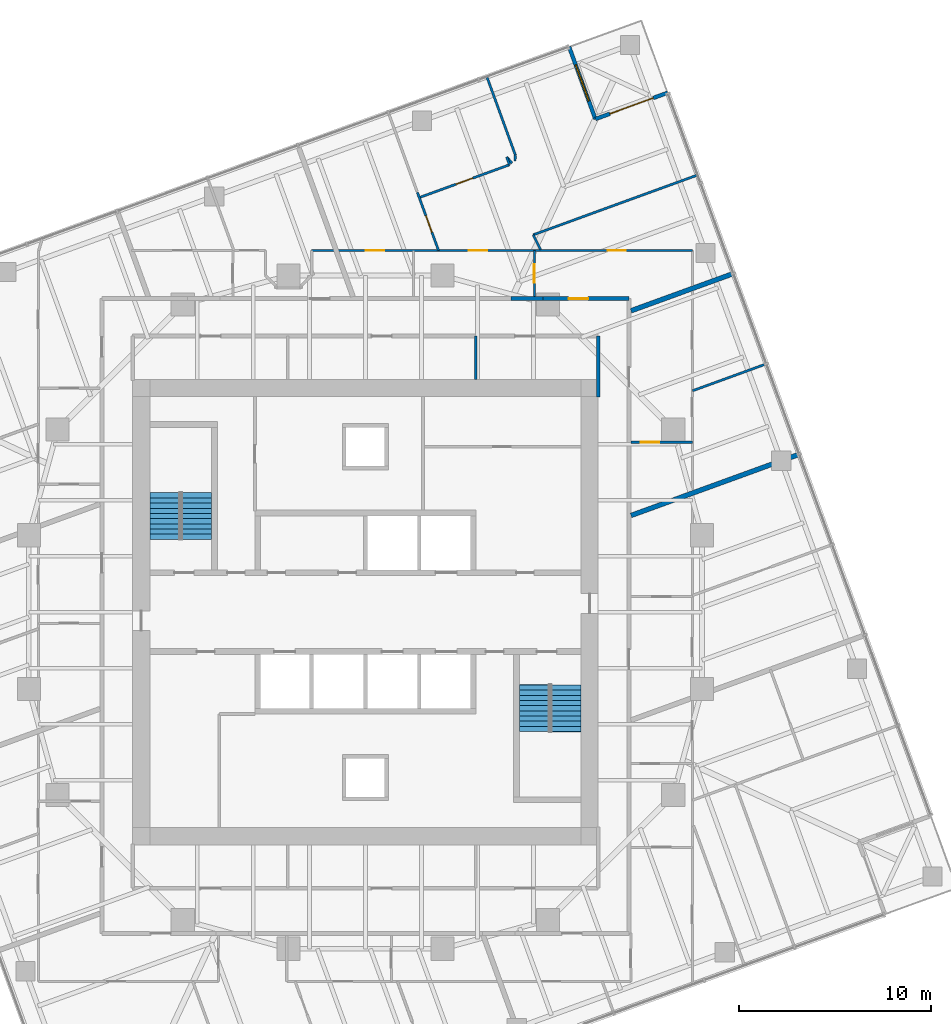
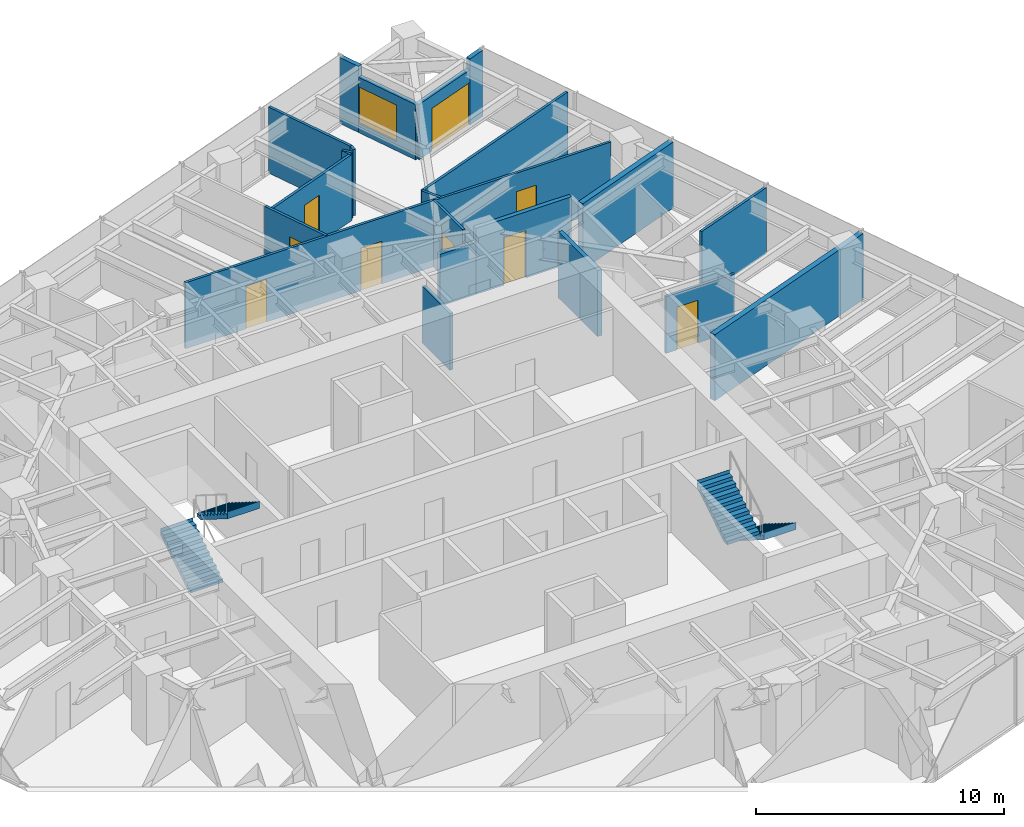
# One storey, part 12 of 13: 22 walls, 9 doors, 4 stair flights, 1 window, 10 openings, 2 elements without a shape of their own.
"""IFC4 building model written with IfcOpenShell, lengths in metres."""

from ifc_helpers import new_model, si_unit, direction, frame, frame_2d, origin, place, context, subcontext, project, spatial, polyline, rectangle, outline, extrude, material, layer, layer_set, type_object, element, fill, aggregate, save


model = new_model("IFC4")

# Units and contexts
model_context = context("Model", 3, precision=1e-05, world=origin(), true_north=direction((0.0, 1.0)))
body_context = subcontext(model_context, "Body", "Model", "MODEL_VIEW")
ifc_project = project(units=[si_unit("LENGTHUNIT", "METRE"), si_unit("AREAUNIT", "SQUARE_METRE"), si_unit("VOLUMEUNIT", "CUBIC_METRE"), si_unit("PLANEANGLEUNIT", "RADIAN"), si_unit("MASSUNIT", "GRAM", prefix="KILO")], contexts=[model_context])

# Site, building, storey
site_placement = place(None, origin())
site = spatial("IfcSite", under=ifc_project, at=site_placement, CompositionType="ELEMENT")
building_placement = place(site_placement, origin())
building = spatial("IfcBuilding", under=site, at=building_placement, Name="Torsade Residences", CompositionType="ELEMENT")
storey_placement = place(building_placement, frame((0.0, 0.0, 147.199951171875)))
storey = spatial("IfcBuildingStorey", under=building, at=storey_placement, Name="L40", CompositionType="ELEMENT", Elevation=147.199951171875)

# Wall, opening, door
ifc_material_1 = material(Name="Plasterboard on steel stud", Category="steel")
ifc_layer_1 = layer(ifc_material_1, 0.199951171875)
ifc_layer_set_1 = layer_set([ifc_layer_1], Name="Plasterboard on steel stud")
wall_type_1 = type_object("IfcWallType", Name="CORRIDOR WALL 200", PredefinedType="PARTITIONING", material=ifc_layer_set_1)
wall_1_placement = place(storey_placement, frame((53.699951171875, 46.300048828125, 0.0), z_axis=(0.0, 0.0, 1.0), x_axis=(-1.0, 0.0, 0.0)))
wall_1 = element("IfcWall", 1, at=wall_1_placement, inside=storey, type_object=wall_type_1, Name="Corridor wall L40", PredefinedType="PARTITIONING", context=body_context, shape_type="SweptSolid", body=[
    extrude(rectangle(XDim=4.458251953125, YDim=0.199951171875, at=frame_2d((2.22900390625, 0.0))), origin(), (0.0, 0.0, 1.0), 3.25),
])
opening_1_placement = place(wall_1_placement, frame((2.1220703125, 0.0, 0.0)))
opening_1 = element("IfcOpeningElement", 2, at=opening_1_placement, cuts=wall_1, Name="Opening D01", PredefinedType="OPENING", context=body_context, shape_type="SweptSolid", body=[
    extrude(rectangle(XDim=1.02001953125, YDim=2.340087890625, at=frame_2d((0.510009765625, 1.169921875))), frame((0.0, 0.10986328125, 0.0), z_axis=(0.0, -1.0, 0.0), x_axis=(1.0, 0.0, 0.0)), (0.0, 0.0, 1.0), 0.219970703125),
])
ifc_material_2 = material(Name="Solid-core timber fire door", Category="wood")
door_type_1 = type_object("IfcDoorType", Name="APARTMENT ENTRY DOOR 1020x2340", OperationType="NOTDEFINED", PredefinedType="DOOR", material=ifc_material_2)
door_1_placement = place(opening_1_placement, origin())
door_1 = element("IfcDoor", 3, at=door_1_placement, inside=storey, type_object=door_type_1, Name="Door Residential corridor to Kitchen and dining", OperationType="SINGLE_SWING_RIGHT", OverallHeight=2.340087890625, OverallWidth=1.02001953125, PredefinedType="DOOR", context=body_context, shape_type="SweptSolid", body=[
    extrude(rectangle(XDim=1.02001953125, YDim=2.340087890625, at=frame_2d((0.510009765625, 1.169921875))), frame((0.0, 0.02490234375, 0.0), z_axis=(0.0, -1.0, 0.0), x_axis=(1.0, 0.0, 0.0)), (0.0, 0.0, 1.0), 0.050048828125),
])
fill(opening_1, door_1)

# Walls
wall_2_placement = place(storey_placement, frame((49.24169921875, 46.300048828125, 0.0), z_axis=(0.0, 0.0, 1.0), x_axis=(-1.0, 0.0, 0.0)))
element("IfcWall", 4, at=wall_2_placement, inside=storey, type_object=wall_type_1, Name="Corridor wall L40", PredefinedType="PARTITIONING", context=body_context, shape_type="SweptSolid", body=[
    extrude(rectangle(XDim=1.683349609375, YDim=0.199951171875, at=frame_2d((0.841796875, 0.0))), origin(), (0.0, 0.0, 1.0), 2.550048828125),
])
wall_3_placement = place(storey_placement, frame((52.10009765625, 41.179931640625, 0.0), z_axis=(0.0, 0.0, 1.0), x_axis=(0.0, 1.0, 0.0)))
element("IfcWall", 5, at=wall_3_placement, inside=storey, type_object=wall_type_1, Name="Corridor wall L40", PredefinedType="PARTITIONING", context=body_context, shape_type="SweptSolid", body=[
    extrude(rectangle(XDim=3.170166015625, YDim=0.199951171875, at=frame_2d((1.5849609375, 0.0))), origin(), (0.0, 0.0, 1.0), 3.25),
])

# Wall, opening, door
ifc_material_3 = material(Name="Plasterboard on steel stud", Category="steel")
ifc_layer_2 = layer(ifc_material_3, 0.1201171875)
ifc_layer_set_2 = layer_set([ifc_layer_2], Name="Plasterboard on steel stud")
wall_type_2 = type_object("IfcWallType", Name="PARTITION 120", PredefinedType="PARTITIONING", material=ifc_layer_set_2)
wall_4_placement = place(storey_placement, frame((57.0, 38.834716796875, 0.0), z_axis=(0.0, 0.0, 1.0), x_axis=(-1.0, 0.0, 0.0)))
wall_4 = element("IfcWall", 6, at=wall_4_placement, inside=storey, type_object=wall_type_2, Name="Partition L40", PredefinedType="PARTITIONING", context=body_context, shape_type="SweptSolid", body=[
    extrude(rectangle(XDim=3.199951171875, YDim=0.1201171875, at=frame_2d((1.60009765625, 0.0))), origin(), (0.0, 0.0, 1.0), 2.796142578125),
])
opening_2_placement = place(wall_4_placement, frame((1.719970703125, 0.0, 0.0)))
opening_2 = element("IfcOpeningElement", 7, at=opening_2_placement, cuts=wall_4, Name="Opening D05", PredefinedType="OPENING", context=body_context, shape_type="SweptSolid", body=[
    extrude(rectangle(XDim=0.9599609375, YDim=2.10009765625, at=frame_2d((0.47998046875, 1.050048828125))), frame((0.0, 0.070068359375, 0.0), z_axis=(0.0, -1.0, 0.0), x_axis=(1.0, 0.0, 0.0)), (0.0, 0.0, 1.0), 0.14013671875),
])
ifc_material_4 = material(Name="Hollow-core timber door in a steel cavity frame", Category="steel")
door_type_2 = type_object("IfcDoorType", Name="BATHROOM CAVITY SLIDING DOOR 960", OperationType="SLIDING_TO_LEFT", PredefinedType="DOOR", material=ifc_material_4)
door_2_placement = place(opening_2_placement, origin())
door_2 = element("IfcDoor", 8, at=door_2_placement, inside=storey, type_object=door_type_2, Name="Door Kitchen and dining to Bathroom", OperationType="SLIDING_TO_LEFT", OverallHeight=2.10009765625, OverallWidth=0.9599609375, PredefinedType="DOOR", context=body_context, shape_type="SweptSolid", body=[
    extrude(rectangle(XDim=0.9599609375, YDim=2.10009765625, at=frame_2d((0.47998046875, 1.050048828125))), frame((0.0, 0.02490234375, 0.0), z_axis=(0.0, -1.0, 0.0), x_axis=(1.0, 0.0, 0.0)), (0.0, 0.0, 1.0), 0.050048828125),
])
fill(opening_2, door_2)

# Wall
wall_5_placement = place(storey_placement, frame((57.0, 41.50830078125, 0.0), z_axis=(0.0, 0.0, 1.0), x_axis=(0.939682468191, 0.342048036063, 0.0)))
element("IfcWall", 9, at=wall_5_placement, inside=storey, type_object=wall_type_2, Name="Partition L40", PredefinedType="PARTITIONING", context=body_context, shape_type="SweptSolid", body=[
    extrude(rectangle(XDim=4.049072265625, YDim=0.1201171875, at=frame_2d((2.0244140625, 0.0))), origin(), (0.0, 0.0, 1.0), 3.25),
])

# Wall, opening, door
wall_6_placement = place(storey_placement, frame((48.78564453125, 46.39990234375, 0.0), z_axis=(0.0, 0.0, 1.0), x_axis=(0.0, 1.0, 0.0)))
wall_6 = element("IfcWall", 10, at=wall_6_placement, inside=storey, type_object=wall_type_2, Name="Partition L40", PredefinedType="PARTITIONING", context=body_context, shape_type="SweptSolid", body=[
    extrude(rectangle(XDim=2.400146484375, YDim=0.1201171875, at=frame_2d((1.2001953125, 0.0))), origin(), (0.0, 0.0, 1.0), 3.25),
])
opening_3_placement = place(wall_6_placement, frame((0.719970703125, 0.0, 0.0)))
opening_3 = element("IfcOpeningElement", 11, at=opening_3_placement, cuts=wall_6, Name="Opening D05", PredefinedType="OPENING", context=body_context, shape_type="SweptSolid", body=[
    extrude(rectangle(XDim=0.9599609375, YDim=2.10009765625, at=frame_2d((0.47998046875, 1.050048828125))), frame((0.0, 0.070068359375, 0.0), z_axis=(0.0, -1.0, 0.0), x_axis=(1.0, 0.0, 0.0)), (0.0, 0.0, 1.0), 0.14013671875),
])
door_3_placement = place(opening_3_placement, origin())
door_3 = element("IfcDoor", 12, at=door_3_placement, inside=storey, type_object=door_type_2, Name="Door Kitchen and dining to Bathroom", OperationType="SLIDING_TO_LEFT", OverallHeight=2.10009765625, OverallWidth=0.9599609375, PredefinedType="DOOR", context=body_context, shape_type="SweptSolid", body=[
    extrude(rectangle(XDim=0.9599609375, YDim=2.10009765625, at=frame_2d((0.47998046875, 1.050048828125))), frame((0.0, 0.02490234375, 0.0), z_axis=(0.0, -1.0, 0.0), x_axis=(1.0, 0.0, 0.0)), (0.0, 0.0, 1.0), 0.050048828125),
])
fill(opening_3, door_3)

# Wall, openings, doors
wall_7_placement = place(storey_placement, frame((37.199951171875, 48.800048828125, 0.0), z_axis=(0.0, 0.0, 1.0), x_axis=(1.0, 0.0, 0.0)))
wall_7 = element("IfcWall", 13, at=wall_7_placement, inside=storey, type_object=wall_type_2, Name="Partition L40", PredefinedType="PARTITIONING", context=body_context, shape_type="SweptSolid", body=[
    extrude(rectangle(XDim=19.800048828125, YDim=0.1201171875, at=frame_2d((9.89990234375, 0.0))), origin(), (0.0, 0.0, 1.0), 3.25),
])
opening_4_placement = place(wall_7_placement, frame((15.40283203125, 0.0, 0.0)))
opening_4 = element("IfcOpeningElement", 14, at=opening_4_placement, cuts=wall_7, Name="Opening D02", PredefinedType="OPENING", context=body_context, shape_type="SweptSolid", body=[
    extrude(rectangle(XDim=0.919921875, YDim=2.340087890625, at=frame_2d((0.4599609375, 1.169921875))), frame((0.0, 0.070068359375, 0.0), z_axis=(0.0, -1.0, 0.0), x_axis=(1.0, 0.0, 0.0)), (0.0, 0.0, 1.0), 0.14013671875),
])
opening_5_placement = place(wall_7_placement, frame((8.165283203125, 0.0, 0.0)))
opening_5 = element("IfcOpeningElement", 15, at=opening_5_placement, cuts=wall_7, Name="Opening D05", PredefinedType="OPENING", context=body_context, shape_type="SweptSolid", body=[
    extrude(rectangle(XDim=0.9599609375, YDim=2.10009765625, at=frame_2d((0.47998046875, 1.050048828125))), frame((0.0, 0.070068359375, 0.0), z_axis=(0.0, -1.0, 0.0), x_axis=(1.0, 0.0, 0.0)), (0.0, 0.0, 1.0), 0.14013671875),
])
opening_6_placement = place(wall_7_placement, frame((2.8095703125, 0.0, 0.0)))
opening_6 = element("IfcOpeningElement", 16, at=opening_6_placement, cuts=wall_7, Name="Opening D05", PredefinedType="OPENING", context=body_context, shape_type="SweptSolid", body=[
    extrude(rectangle(XDim=0.9599609375, YDim=2.10009765625, at=frame_2d((0.47998046875, 1.050048828125))), frame((0.0, 0.070068359375, 0.0), z_axis=(0.0, -1.0, 0.0), x_axis=(1.0, 0.0, 0.0)), (0.0, 0.0, 1.0), 0.14013671875),
])
door_4_placement = place(opening_5_placement, origin())
door_4 = element("IfcDoor", 17, at=door_4_placement, inside=storey, type_object=door_type_2, Name="Door Bathroom to Living room", OperationType="SLIDING_TO_LEFT", OverallHeight=2.10009765625, OverallWidth=0.9599609375, PredefinedType="DOOR", context=body_context, shape_type="SweptSolid", body=[
    extrude(rectangle(XDim=0.9599609375, YDim=2.10009765625, at=frame_2d((0.47998046875, 1.050048828125))), frame((0.0, 0.02490234375, 0.0), z_axis=(0.0, -1.0, 0.0), x_axis=(1.0, 0.0, 0.0)), (0.0, 0.0, 1.0), 0.050048828125),
])
fill(opening_5, door_4)
door_5_placement = place(opening_6_placement, origin())
door_5 = element("IfcDoor", 18, at=door_5_placement, inside=storey, type_object=door_type_2, Name="Door Bedroom 1 to Ensuite", OperationType="SLIDING_TO_LEFT", OverallHeight=2.10009765625, OverallWidth=0.9599609375, PredefinedType="DOOR", context=body_context, shape_type="SweptSolid", body=[
    extrude(rectangle(XDim=0.9599609375, YDim=2.10009765625, at=frame_2d((0.47998046875, 1.050048828125))), frame((0.0, 0.02490234375, 0.0), z_axis=(0.0, -1.0, 0.0), x_axis=(1.0, 0.0, 0.0)), (0.0, 0.0, 1.0), 0.050048828125),
])
fill(opening_6, door_5)
ifc_material_5 = material(Name="Hollow-core timber door", Category="wood")
door_type_3 = type_object("IfcDoorType", Name="INTERNAL DOOR 920x2340", OperationType="NOTDEFINED", PredefinedType="DOOR", material=ifc_material_5)
door_6_placement = place(opening_4_placement, origin())
door_6 = element("IfcDoor", 19, at=door_6_placement, inside=storey, type_object=door_type_3, Name="Door Kitchen and dining to Bedroom 2", OperationType="SINGLE_SWING_RIGHT", OverallHeight=2.340087890625, OverallWidth=0.919921875, PredefinedType="DOOR", context=body_context, shape_type="SweptSolid", body=[
    extrude(rectangle(XDim=0.919921875, YDim=2.340087890625, at=frame_2d((0.4599609375, 1.169921875))), frame((0.0, 0.02490234375, 0.0), z_axis=(0.0, -1.0, 0.0), x_axis=(1.0, 0.0, 0.0)), (0.0, 0.0, 1.0), 0.050048828125),
])
fill(opening_4, door_6)

# Wall, opening, door
wall_8_placement = place(storey_placement, frame((43.799072265625, 48.800048828125, 0.0), z_axis=(0.0, 0.0, 1.0), x_axis=(-0.342034943783, 0.939687233728, 0.0)))
wall_8 = element("IfcWall", 20, at=wall_8_placement, inside=storey, type_object=wall_type_2, Name="Partition L40", PredefinedType="PARTITIONING", context=body_context, shape_type="SweptSolid", body=[
    extrude(rectangle(XDim=3.223388671875, YDim=0.1201171875, at=frame_2d((1.61181640625, 0.0))), origin(), (0.0, 0.0, 1.0), 3.25),
])
opening_7_placement = place(wall_8_placement, frame((1.00390625, 0.0, 0.0)))
opening_7 = element("IfcOpeningElement", 21, at=opening_7_placement, cuts=wall_8, Name="Opening D02", PredefinedType="OPENING", context=body_context, shape_type="SweptSolid", body=[
    extrude(rectangle(XDim=0.919921875, YDim=2.340087890625, at=frame_2d((0.4599609375, 1.169921875))), frame((0.0, 0.070068359375, 0.0), z_axis=(0.0, -1.0, 0.0), x_axis=(1.0, 0.0, 0.0)), (0.0, 0.0, 1.0), 0.14013671875),
])
door_7_placement = place(opening_7_placement, origin())
door_7 = element("IfcDoor", 22, at=door_7_placement, inside=storey, type_object=door_type_3, Name="Door Living room to Bedroom 1", OperationType="SINGLE_SWING_LEFT", OverallHeight=2.340087890625, OverallWidth=0.919921875, PredefinedType="DOOR", context=body_context, shape_type="SweptSolid", body=[
    extrude(rectangle(XDim=0.919921875, YDim=2.340087890625, at=frame_2d((0.4599609375, 1.169921875))), frame((0.0, 0.02490234375, 0.0), z_axis=(0.0, -1.0, 0.0), x_axis=(1.0, 0.0, 0.0)), (0.0, 0.0, 1.0), 0.050048828125),
])
fill(opening_7, door_7)

# Walls
wall_9_placement = place(storey_placement, frame((57.230712890625, 52.713134765625, 0.0), z_axis=(0.0, 0.0, 1.0), x_axis=(-0.939692673089, -0.342019999623, 0.0)))
element("IfcWall", 23, at=wall_9_placement, inside=storey, type_object=wall_type_2, Name="Partition L40", PredefinedType="PARTITIONING", context=body_context, shape_type="SweptSolid", body=[
    extrude(rectangle(XDim=9.059814453125, YDim=0.1201171875, at=frame_2d((4.52978515625, 0.0))), origin(), (0.0, 0.0, 1.0), 3.25),
])
wall_10_placement = place(storey_placement, frame((48.71728515625, 49.614501953125, 0.0), z_axis=(0.0, 0.0, 1.0), x_axis=(0.448117513314, -0.893974660861, 0.0)))
element("IfcWall", 24, at=wall_10_placement, inside=storey, type_object=wall_type_2, Name="Partition L40", PredefinedType="PARTITIONING", context=body_context, shape_type="SweptSolid", body=[
    extrude(rectangle(XDim=0.864013671875, YDim=0.1201171875, at=frame_2d((0.43212890625, 0.0))), origin(), (0.0, 0.0, 1.0), 3.25),
])

# Wall, opening, door
wall_11_placement = place(storey_placement, frame((42.7978515625, 51.55126953125, 0.0), z_axis=(0.0, 0.0, 1.0), x_axis=(0.939699104319, 0.342002329438, 0.0)))
wall_11 = element("IfcWall", 25, at=wall_11_placement, inside=storey, type_object=wall_type_2, Name="Partition L40", PredefinedType="PARTITIONING", context=body_context, shape_type="SweptSolid", body=[
    extrude(rectangle(XDim=4.98974609375, YDim=0.1201171875, at=frame_2d((2.494873046875, 0.0))), origin(), (0.0, 0.0, 1.0), 3.25),
])
opening_8_placement = place(wall_11_placement, frame((2.034912109375, 0.0, 0.0)))
opening_8 = element("IfcOpeningElement", 26, at=opening_8_placement, cuts=wall_11, Name="Opening D02", PredefinedType="OPENING", context=body_context, shape_type="SweptSolid", body=[
    extrude(rectangle(XDim=0.919921875, YDim=2.340087890625, at=frame_2d((0.4599609375, 1.169921875))), frame((0.0, 0.070068359375, 0.0), z_axis=(0.0, -1.0, 0.0), x_axis=(1.0, 0.0, 0.0)), (0.0, 0.0, 1.0), 0.14013671875),
])
door_8_placement = place(opening_8_placement, origin())
door_8 = element("IfcDoor", 27, at=door_8_placement, inside=storey, type_object=door_type_3, Name="Door Living room to Bedroom 3", OperationType="SINGLE_SWING_RIGHT", OverallHeight=2.340087890625, OverallWidth=0.919921875, PredefinedType="DOOR", context=body_context, shape_type="SweptSolid", body=[
    extrude(rectangle(XDim=0.919921875, YDim=2.340087890625, at=frame_2d((0.4599609375, 1.169921875))), frame((0.0, 0.02490234375, 0.0), z_axis=(0.0, -1.0, 0.0), x_axis=(1.0, 0.0, 0.0)), (0.0, 0.0, 1.0), 0.050048828125),
])
fill(opening_8, door_8)

# Walls
for number, where, z_axis, x_axis, name in (
    (28, (47.48681640625, 53.2578125, 0.0), (0.0, 0.0, 1.0), (-0.341833643998, 0.939760480033, 0.0), "Partition L40"),
    (29, (47.343994140625, 53.66748046875, 0.0), (0.0, 0.0, 1.0), (0.638629337621, -0.769514502222, 0.0), "Partition L40"),
):
    element("IfcWall", number, at=place(storey_placement, frame(where, z_axis=z_axis, x_axis=x_axis)), inside=storey, type_object=wall_type_2, Name=name, PredefinedType="PARTITIONING", context=body_context, shape_type="SweptSolid", body=[
        extrude(rectangle(XDim=0.432861328125, YDim=0.1201171875, at=frame_2d((0.21630859375, 0.0))), origin(), (0.0, 0.0, 1.0), 3.25),
    ])
wall_12_placement = place(storey_placement, frame((47.768798828125, 53.457763671875, 0.0), z_axis=(0.0, 0.0, 1.0), x_axis=(0.093212941297, 0.995646195983, 0.0)))
element("IfcWall", 30, at=wall_12_placement, inside=storey, type_object=wall_type_2, Name="Partition L40", PredefinedType="PARTITIONING", context=body_context, shape_type="SweptSolid", body=[
    extrude(rectangle(XDim=0.2958984375, YDim=0.1201171875, at=frame_2d((0.14794921875, 0.0))), origin(), (0.0, 0.0, 1.0), 3.25),
])
wall_13_placement = place(storey_placement, frame((47.79638671875, 53.75244140625, 0.0), z_axis=(0.0, 0.0, 1.0), x_axis=(-0.342011603146, 0.939695729113, 0.0)))
element("IfcWall", 31, at=wall_13_placement, inside=storey, type_object=wall_type_2, Name="Partition L40", PredefinedType="PARTITIONING", context=body_context, shape_type="SweptSolid", body=[
    extrude(rectangle(XDim=4.306640625, YDim=0.1201171875, at=frame_2d((2.1533203125, 0.0))), origin(), (0.0, 0.0, 1.0), 3.25),
])
ifc_material_6 = material(Name="Masonry-lined stud party wall", Category="masonry")
ifc_layer_3 = layer(ifc_material_6, 0.25)
ifc_layer_set_3 = layer_set([ifc_layer_3], Name="Masonry-lined stud party wall")
wall_type_3 = type_object("IfcWallType", Name="PARTY WALL 250", PredefinedType="PARTITIONING", material=ifc_layer_set_3)
wall_14_placement = place(storey_placement, frame((62.552734375, 38.20849609375, 0.0), z_axis=(0.0, 0.0, 1.0), x_axis=(-0.939693071685, -0.342018904489, 0.0)))
element("IfcWall", 32, at=wall_14_placement, inside=storey, type_object=wall_type_3, Name="Party wall L40", PredefinedType="PARTITIONING", context=body_context, shape_type="SweptSolid", body=[
    extrude(rectangle(XDim=9.308837890625, YDim=0.25, at=frame_2d((4.654296875, 0.0))), origin(), (0.0, 0.0, 1.0), 3.25),
])
wall_15_placement = place(storey_placement, frame((59.13232421875, 47.60546875, 0.0), z_axis=(0.0, 0.0, 1.0), x_axis=(-0.939690274876, -0.342026588591, 0.0)))
element("IfcWall", 33, at=wall_15_placement, inside=storey, type_object=wall_type_3, Name="Party wall L40", PredefinedType="PARTITIONING", context=body_context, shape_type="SweptSolid", body=[
    extrude(rectangle(XDim=5.6689453125, YDim=0.25, at=frame_2d((2.83447265625, 0.0))), origin(), (0.0, 0.0, 1.0), 3.25),
])
ifc_material_7 = material(Name="Reinforced blockwork", Category="masonry")
ifc_layer_4 = layer(ifc_material_7, 0.14990234375)
ifc_layer_set_4 = layer_set([ifc_layer_4], Name="Reinforced blockwork")
wall_type_4 = type_object("IfcWallType", Name="SERVICE ROOM WALL 150", PredefinedType="SOLIDWALL", material=ifc_layer_set_4)
wall_16_placement = place(storey_placement, frame((45.7353515625, 42.10009765625, 0.0), z_axis=(0.0, 0.0, 1.0), x_axis=(0.0, 1.0, 0.0)))
element("IfcWall", 34, at=wall_16_placement, inside=storey, type_object=wall_type_4, Name="Service room wall L40", PredefinedType="SOLIDWALL", context=body_context, shape_type="SweptSolid", body=[
    extrude(rectangle(XDim=2.25, YDim=0.14990234375, at=frame_2d((1.125, 0.0))), origin(), (0.0, 0.0, 1.0), 2.796142578125),
])
ifc_material_8 = material(Name="Stone-faced precast concrete 40 MPa panel", Category="masonry")
ifc_layer_5 = layer(ifc_material_8, 0.199951171875)
ifc_layer_set_5 = layer_set([ifc_layer_5], Name="Stone-faced precast concrete 40 MPa panel")
wall_type_5 = type_object("IfcWallType", Name="TERRACE WALL 200", PredefinedType="SOLIDWALL", material=ifc_layer_set_5)
wall_17_placement = place(storey_placement, frame((55.712158203125, 57.00244140625, 0.0), z_axis=(0.0, 0.0, 1.0), x_axis=(-0.939659694648, -0.342110593602, 0.0)))
element("IfcWall", 35, at=wall_17_placement, inside=storey, type_object=wall_type_5, Name="Terrace wall L40 5", PredefinedType="SOLIDWALL", context=body_context, shape_type="SweptSolid", body=[
    extrude(rectangle(XDim=0.800048828125, YDim=0.199951171875, at=frame_2d((0.39990234375, 0.0))), origin(), (0.0, 0.0, 1.0), 3.25),
])

# Wall, opening, door
wall_18_placement = place(storey_placement, frame((54.96044921875, 56.728759765625, 0.0), z_axis=(0.0, 0.0, 1.0), x_axis=(-0.939693144909, -0.342018703306, 0.0)))
wall_18 = element("IfcWall", 36, at=wall_18_placement, inside=storey, type_object=wall_type_5, Name="Terrace wall L40 5", PredefinedType="SOLIDWALL", context=body_context, shape_type="SweptSolid", body=[
    extrude(rectangle(XDim=3.199951171875, YDim=0.199951171875, at=frame_2d((1.60009765625, 0.0))), origin(), (0.0, 0.0, 1.0), 2.72216796875),
])
opening_9_placement = place(wall_18_placement, origin())
opening_9 = element("IfcOpeningElement", 37, at=opening_9_placement, cuts=wall_18, Name="Opening D10A", PredefinedType="OPENING", context=body_context, shape_type="SweptSolid", body=[
    extrude(rectangle(XDim=2.39990234375, YDim=2.10009765625, at=frame_2d((1.199951171875, 1.050048828125))), frame((0.0, 0.10986328125, 0.0), z_axis=(0.0, -1.0, 0.0), x_axis=(1.0, 0.0, 0.0)), (0.0, 0.0, 1.0), 0.219970703125),
])
ifc_material_9 = material(Name="Aluminium-framed glass door", Category="aluminium")
door_type_4 = type_object("IfcDoorType", Name="TERRACE SLIDING DOOR 2400x2100", OperationType="SLIDING_TO_LEFT", PredefinedType="DOOR", material=ifc_material_9)
door_9_placement = place(opening_9_placement, origin())
door_9 = element("IfcDoor", 38, at=door_9_placement, inside=storey, type_object=door_type_4, Name="Terrace door L40 5", OperationType="SLIDING_TO_LEFT", OverallHeight=2.10009765625, OverallWidth=2.39990234375, PredefinedType="DOOR", context=body_context, shape_type="SweptSolid", body=[
    extrude(rectangle(XDim=2.39990234375, YDim=2.10009765625, at=frame_2d((1.199951171875, 1.050048828125))), frame((0.0, 0.02490234375, 0.0), z_axis=(0.0, -1.0, 0.0), x_axis=(1.0, 0.0, 0.0)), (0.0, 0.0, 1.0), 0.050048828125),
])
fill(opening_9, door_9)

# Wall, opening, window
wall_19_placement = place(storey_placement, frame((51.953369140625, 55.63427734375, 0.0), z_axis=(0.0, 0.0, 1.0), x_axis=(-0.341965219194, 0.939712609717, 0.0)))
wall_19 = element("IfcWall", 39, at=wall_19_placement, inside=storey, type_object=wall_type_5, Name="Terrace wall L40 6", PredefinedType="SOLIDWALL", context=body_context, shape_type="SweptSolid", body=[
    extrude(rectangle(XDim=3.0, YDim=0.199951171875, at=frame_2d((1.5, 0.0))), origin(), (0.0, 0.0, 1.0), 2.72216796875),
])
opening_10_placement = place(wall_19_placement, frame((1.0, 0.0, 0.449951171875)))
opening_10 = element("IfcOpeningElement", 40, at=opening_10_placement, cuts=wall_19, Name="Opening W1B", PredefinedType="OPENING", context=body_context, shape_type="SweptSolid", body=[
    extrude(rectangle(XDim=2.0, YDim=1.800048828125, at=frame_2d((1.0, 0.89990234375))), frame((0.0, 0.10986328125, 0.0), z_axis=(0.0, -1.0, 0.0), x_axis=(1.0, 0.0, 0.0)), (0.0, 0.0, 1.0), 0.219970703125),
])
ifc_material_10 = material(Name="Aluminium-framed glass window", Category="aluminium")
window_type = type_object("IfcWindowType", Name="TERRACE WINDOW 2000x1800", PartitioningType="SINGLE_PANEL", PredefinedType="WINDOW", material=ifc_material_10)
window_placement = place(opening_10_placement, origin())
window = element("IfcWindow", 41, at=window_placement, inside=storey, type_object=window_type, Name="Terrace window L40 6", OverallHeight=1.800048828125, OverallWidth=2.0, PartitioningType="SINGLE_PANEL", PredefinedType="WINDOW", context=body_context, shape_type="SweptSolid", body=[
    extrude(rectangle(XDim=2.0, YDim=1.800048828125, at=frame_2d((1.0, 0.89990234375))), frame((0.0, 0.030029296875, 0.0), z_axis=(0.0, -1.0, 0.0), x_axis=(1.0, 0.0, 0.0)), (0.0, 0.0, 1.0), 0.06005859375),
])
fill(opening_10, window)

# Wall
wall_20_placement = place(storey_placement, frame((50.927490234375, 58.453369140625, 0.0), z_axis=(0.0, 0.0, 1.0), x_axis=(-0.342037080957, 0.939686455819, 0.0)))
element("IfcWall", 42, at=wall_20_placement, inside=storey, type_object=wall_type_5, Name="Terrace wall L40 6", PredefinedType="SOLIDWALL", context=body_context, shape_type="SweptSolid", body=[
    extrude(rectangle(XDim=1.0, YDim=0.199951171875, at=frame_2d((0.5, 0.0))), origin(), (0.0, 0.0, 1.0), 3.25),
])

# Stair, stair flights
ifc_material_11 = material(Name="Precast concrete 40 MPa", Category="concrete")
stair_type = type_object("IfcStairType", Name="HALF-TURN FIRE STAIR 1500x3400", PredefinedType="HALF_TURN_STAIR", material=ifc_material_11)
stair_1_placement = place(storey_placement, origin())
stair_1 = element("IfcStair", 43, at=stair_1_placement, inside=storey, type_object=stair_type, Name="Stair ST1 L40", PredefinedType="HALF_TURN_STAIR")
ifc_material_12 = material(Name="Precast concrete 40 MPa", Category="concrete")
stair_flight_type = type_object("IfcStairFlightType", Name="PRECAST STAIR FLIGHT 1500x1700", PredefinedType="STRAIGHT", material=ifc_material_12)
stair_flight_1_placement = place(storey_placement, frame((29.550048828125, 33.780029296875, 0.0), z_axis=(0.0, 0.0, 1.0), x_axis=(0.0, 1.0, 0.0)))
stair_flight_1 = element("IfcStairFlight", 44, at=stair_flight_1_placement, type_object=stair_flight_type, Name="ST1 flight 1", NumberOfRisers=10, NumberOfTreads=9, PredefinedType="STRAIGHT", RiserHeight=0.17, TreadLength=0.27, context=body_context, shape_type="SweptSolid", body=[
    extrude(outline(polyline([(0.0, 0.0), (0.0, 0.169921875), (0.27001953125, 0.169921875), (0.27001953125, 0.340087890625), (0.5400390625, 0.340087890625), (0.5400390625, 0.510009765625), (0.81005859375, 0.510009765625), (0.81005859375, 0.679931640625), (1.080078125, 0.679931640625), (1.080078125, 0.85009765625), (1.35009765625, 0.85009765625), (1.35009765625, 1.02001953125), (1.6201171875, 1.02001953125), (1.6201171875, 1.18994140625), (1.889892578125, 1.18994140625), (1.889892578125, 1.360107421875), (2.159912109375, 1.360107421875), (2.159912109375, 1.530029296875), (2.429931640625, 1.530029296875), (2.429931640625, 1.699951171875), (2.43994140625, 1.699951171875), (2.43994140625, 1.352783203125), (2.429931640625, 1.352783203125), (0.28125, 0.0), (0.0, 0.0)])), frame((0.0, 0.75, 0.0), z_axis=(0.0, -1.0, 0.0), x_axis=(1.0, 0.0, 0.0)), (0.0, 0.0, 1.0), 1.5),
])
stair_flight_2_placement = place(storey_placement, frame((31.25, 36.2099609375, 1.699951171875), z_axis=(0.0, 0.0, 1.0), x_axis=(0.0, -1.0, 0.0)))
stair_flight_2 = element("IfcStairFlight", 45, at=stair_flight_2_placement, type_object=stair_flight_type, Name="ST1 flight 2", NumberOfRisers=10, NumberOfTreads=9, PredefinedType="STRAIGHT", RiserHeight=0.17, TreadLength=0.27, context=body_context, shape_type="SweptSolid", body=[
    extrude(outline(polyline([(0.0, 0.0), (0.0, 0.169921875), (0.27001953125, 0.169921875), (0.27001953125, 0.340087890625), (0.5400390625, 0.340087890625), (0.5400390625, 0.510009765625), (0.81005859375, 0.510009765625), (0.81005859375, 0.679931640625), (1.080078125, 0.679931640625), (1.080078125, 0.85009765625), (1.35009765625, 0.85009765625), (1.35009765625, 1.02001953125), (1.6201171875, 1.02001953125), (1.6201171875, 1.18994140625), (1.889892578125, 1.18994140625), (1.889892578125, 1.360107421875), (2.159912109375, 1.360107421875), (2.159912109375, 1.530029296875), (2.429931640625, 1.530029296875), (2.429931640625, 1.699951171875), (2.43994140625, 1.699951171875), (2.43994140625, 1.352783203125), (2.429931640625, 1.352783203125), (0.28125, 0.0), (0.0, 0.0)])), frame((0.0, 0.75, 0.0), z_axis=(0.0, -1.0, 0.0), x_axis=(1.0, 0.0, 0.0)), (0.0, 0.0, 1.0), 1.5),
])
aggregate(stair_1, [stair_flight_1, stair_flight_2])

stair_2_placement = place(storey_placement, origin())
stair_2 = element("IfcStair", 46, at=stair_2_placement, inside=storey, type_object=stair_type, Name="Stair ST2 L40", PredefinedType="HALF_TURN_STAIR")
stair_flight_3_placement = place(storey_placement, frame((50.449951171875, 26.219970703125, 0.0), z_axis=(0.0, 0.0, 1.0), x_axis=(0.0, -1.0, 0.0)))
stair_flight_3 = element("IfcStairFlight", 47, at=stair_flight_3_placement, type_object=stair_flight_type, Name="ST2 flight 1", NumberOfRisers=10, NumberOfTreads=9, PredefinedType="STRAIGHT", RiserHeight=0.17, TreadLength=0.27, context=body_context, shape_type="SweptSolid", body=[
    extrude(outline(polyline([(0.0, 0.0), (0.0, 0.169921875), (0.27001953125, 0.169921875), (0.27001953125, 0.340087890625), (0.5400390625, 0.340087890625), (0.5400390625, 0.510009765625), (0.81005859375, 0.510009765625), (0.81005859375, 0.679931640625), (1.080078125, 0.679931640625), (1.080078125, 0.85009765625), (1.35009765625, 0.85009765625), (1.35009765625, 1.02001953125), (1.6201171875, 1.02001953125), (1.6201171875, 1.18994140625), (1.889892578125, 1.18994140625), (1.889892578125, 1.360107421875), (2.159912109375, 1.360107421875), (2.159912109375, 1.530029296875), (2.429931640625, 1.530029296875), (2.429931640625, 1.699951171875), (2.43994140625, 1.699951171875), (2.43994140625, 1.352783203125), (2.429931640625, 1.352783203125), (0.28125, 0.0), (0.0, 0.0)])), frame((0.0, 0.75, 0.0), z_axis=(0.0, -1.0, 0.0), x_axis=(1.0, 0.0, 0.0)), (0.0, 0.0, 1.0), 1.5),
])
stair_flight_4_placement = place(storey_placement, frame((48.75, 23.7900390625, 1.699951171875), z_axis=(0.0, 0.0, 1.0), x_axis=(0.0, 1.0, 0.0)))
stair_flight_4 = element("IfcStairFlight", 48, at=stair_flight_4_placement, type_object=stair_flight_type, Name="ST2 flight 2", NumberOfRisers=10, NumberOfTreads=9, PredefinedType="STRAIGHT", RiserHeight=0.17, TreadLength=0.27, context=body_context, shape_type="SweptSolid", body=[
    extrude(outline(polyline([(0.0, 0.0), (0.0, 0.169921875), (0.27001953125, 0.169921875), (0.27001953125, 0.340087890625), (0.5400390625, 0.340087890625), (0.5400390625, 0.510009765625), (0.81005859375, 0.510009765625), (0.81005859375, 0.679931640625), (1.080078125, 0.679931640625), (1.080078125, 0.85009765625), (1.35009765625, 0.85009765625), (1.35009765625, 1.02001953125), (1.6201171875, 1.02001953125), (1.6201171875, 1.18994140625), (1.889892578125, 1.18994140625), (1.889892578125, 1.360107421875), (2.159912109375, 1.360107421875), (2.159912109375, 1.530029296875), (2.429931640625, 1.530029296875), (2.429931640625, 1.699951171875), (2.43994140625, 1.699951171875), (2.43994140625, 1.352783203125), (2.429931640625, 1.352783203125), (0.28125, 0.0), (0.0, 0.0)])), frame((0.0, 0.75, 0.0), z_axis=(0.0, -1.0, 0.0), x_axis=(1.0, 0.0, 0.0)), (0.0, 0.0, 1.0), 1.5),
])
aggregate(stair_2, [stair_flight_3, stair_flight_4])

save(model, "model.ifc")
